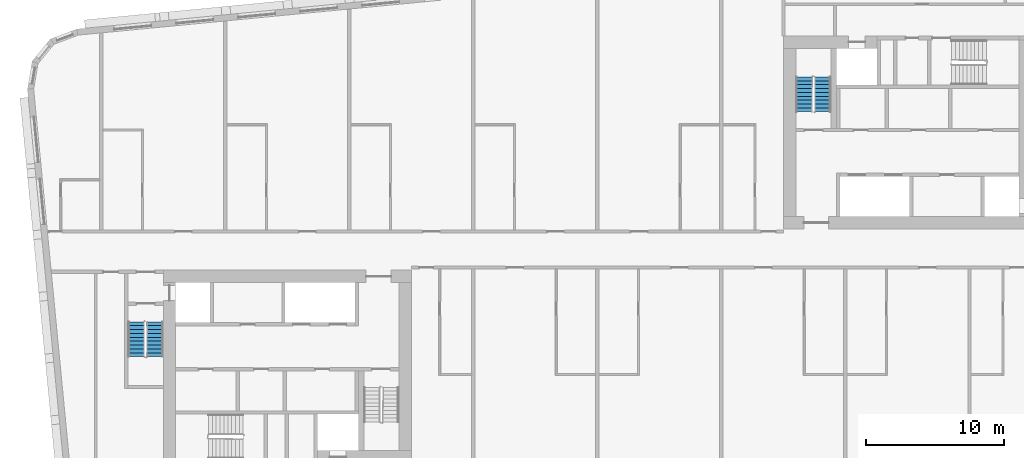
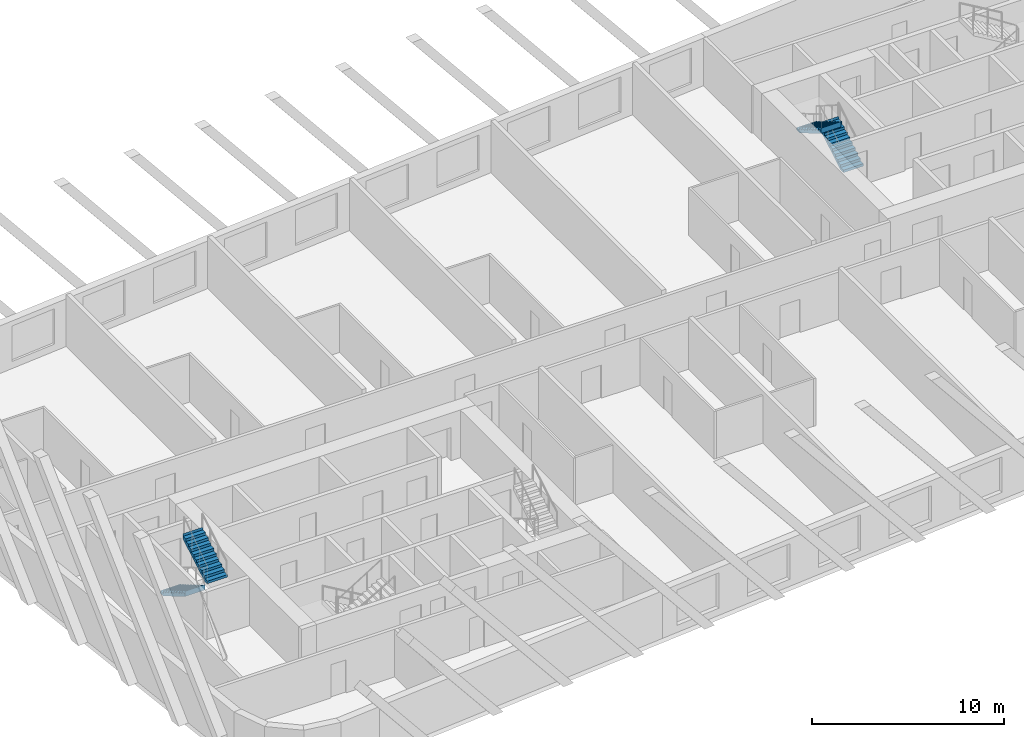
# One storey, part 9 of 12: 4 stair flights, 2 elements without a shape of their own.
"""IFC4 building model written with IfcOpenShell, lengths in metres."""

from ifc_helpers import new_model, si_unit, direction, frame, origin, place, context, subcontext, project, spatial, faceted_brep, material, type_object, element, aggregate, save


model = new_model("IFC4")

# Units and contexts
model_context = context("Model", 3, precision=1e-05, world=origin(), true_north=direction((0.0, 1.0)))
body_context = subcontext(model_context, "Body", "Model", "MODEL_VIEW")
ifc_project = project(units=[si_unit("LENGTHUNIT", "METRE"), si_unit("AREAUNIT", "SQUARE_METRE"), si_unit("VOLUMEUNIT", "CUBIC_METRE"), si_unit("PLANEANGLEUNIT", "RADIAN"), si_unit("MASSUNIT", "GRAM", prefix="KILO")], contexts=[model_context])

# Site, building, storey
site_placement = place(None, origin())
site = spatial("IfcSite", under=ifc_project, at=site_placement, CompositionType="ELEMENT")
building_placement = place(site_placement, origin())
building = spatial("IfcBuilding", under=site, at=building_placement, Name="Kajstack Hotel Tower", CompositionType="ELEMENT")
storey_placement = place(building_placement, frame((0.0, 0.0, 268.5)))
storey = spatial("IfcBuildingStorey", under=building, at=storey_placement, Name="L66", CompositionType="ELEMENT", Elevation=268.5)

# Stair, stair flights
ifc_material = material(Name="Concrete C40/50", Category="concrete")
stair_type = type_object("IfcStairType", Name="Exit stair 1200", PredefinedType="HALF_TURN_STAIR", material=ifc_material)
stair_1_placement = place(storey_placement, origin())
stair_1 = element("IfcStair", 1, at=stair_1_placement, inside=storey, type_object=stair_type, Name="L66 stair W1", PredefinedType="HALF_TURN_STAIR")
stair_flight_type = type_object("IfcStairFlightType", Name="Exit stair flight 1200", PredefinedType="STRAIGHT", material=ifc_material)
stair_flight_1_placement = place(storey_placement, frame((-33.449951171875, -5.25, 0.0), z_axis=(0.0, 0.0, 1.0), x_axis=(0.0, -1.0, 0.0)))
stair_flight_1 = element("IfcStairFlight", 2, at=stair_flight_1_placement, type_object=stair_flight_type, Name="W1 flight 1", NumberOfRisers=10, NumberOfTreads=9, PredefinedType="STRAIGHT", RiserHeight=0.165, TreadLength=0.28, context=body_context, shape_type="Brep", body=[
    faceted_brep([(0.295654296875, -0.60009765625, 0.0), (2.5205078125, -0.60009765625, 1.31103515625), (2.5205078125, -0.60009765625, 1.64990234375), (2.52001953125, -0.60009765625, 1.64990234375), (2.52001953125, -0.60009765625, 1.485107421875), (2.239990234375, -0.60009765625, 1.485107421875), (2.239990234375, -0.60009765625, 1.320068359375), (1.9599609375, -0.60009765625, 1.320068359375), (1.9599609375, -0.60009765625, 1.155029296875), (1.679931640625, -0.60009765625, 1.155029296875), (1.679931640625, -0.60009765625, 0.989990234375), (1.39990234375, -0.60009765625, 0.989990234375), (1.39990234375, -0.60009765625, 0.824951171875), (1.1201171875, -0.60009765625, 0.824951171875), (1.1201171875, -0.60009765625, 0.659912109375), (0.840087890625, -0.60009765625, 0.659912109375), (0.840087890625, -0.60009765625, 0.4951171875), (0.56005859375, -0.60009765625, 0.4951171875), (0.56005859375, -0.60009765625, 0.330078125), (0.280029296875, -0.60009765625, 0.330078125), (0.280029296875, -0.60009765625, 0.1650390625), (-0.00048828125, -0.60009765625, 0.1650390625), (-0.00048828125, -0.60009765625, 0.0), (-0.00048828125, 0.60009765625, 0.0), (-0.00048828125, 0.60009765625, 0.1650390625), (0.280029296875, 0.60009765625, 0.1650390625), (0.280029296875, 0.60009765625, 0.330078125), (0.56005859375, 0.60009765625, 0.330078125), (0.56005859375, 0.60009765625, 0.4951171875), (0.840087890625, 0.60009765625, 0.4951171875), (0.840087890625, 0.60009765625, 0.659912109375), (1.1201171875, 0.60009765625, 0.659912109375), (1.1201171875, 0.60009765625, 0.824951171875), (1.39990234375, 0.60009765625, 0.824951171875), (1.39990234375, 0.60009765625, 0.989990234375), (1.679931640625, 0.60009765625, 0.989990234375), (1.679931640625, 0.60009765625, 1.155029296875), (1.9599609375, 0.60009765625, 1.155029296875), (1.9599609375, 0.60009765625, 1.320068359375), (2.239990234375, 0.60009765625, 1.320068359375), (2.239990234375, 0.60009765625, 1.485107421875), (2.52001953125, 0.60009765625, 1.485107421875), (2.52001953125, 0.60009765625, 1.64990234375), (2.5205078125, 0.60009765625, 1.64990234375), (2.5205078125, 0.60009765625, 1.31103515625), (0.295654296875, 0.60009765625, 0.0), (-0.00048828125, -0.300048828125, 0.1650390625), (-0.00048828125, 0.0, 0.1650390625), (-0.00048828125, 0.300048828125, 0.1650390625), (-0.00048828125, 0.300048828125, 0.0), (-0.00048828125, 0.0, 0.0), (-0.00048828125, -0.300048828125, 0.0), (0.280029296875, -0.300048828125, 0.1650390625), (0.280029296875, 0.0, 0.1650390625), (0.280029296875, 0.300048828125, 0.1650390625), (0.280029296875, -0.300048828125, 0.330078125), (0.280029296875, 0.0, 0.330078125), (0.280029296875, 0.300048828125, 0.330078125), (0.56005859375, -0.300048828125, 0.330078125), (0.56005859375, 0.0, 0.330078125), (0.56005859375, 0.300048828125, 0.330078125), (0.56005859375, -0.300048828125, 0.4951171875), (0.56005859375, 0.0, 0.4951171875), (0.56005859375, 0.300048828125, 0.4951171875), (0.840087890625, -0.300048828125, 0.4951171875), (0.840087890625, 0.0, 0.4951171875), (0.840087890625, 0.300048828125, 0.4951171875), (0.840087890625, -0.300048828125, 0.659912109375), (0.840087890625, 0.0, 0.659912109375), (0.840087890625, 0.300048828125, 0.659912109375), (1.1201171875, -0.300048828125, 0.659912109375), (1.1201171875, 0.0, 0.659912109375), (1.1201171875, 0.300048828125, 0.659912109375), (1.1201171875, -0.300048828125, 0.824951171875), (1.1201171875, 0.0, 0.824951171875), (1.1201171875, 0.300048828125, 0.824951171875), (1.39990234375, -0.300048828125, 0.824951171875), (1.39990234375, 0.0, 0.824951171875), (1.39990234375, 0.300048828125, 0.824951171875), (1.39990234375, -0.300048828125, 0.989990234375), (1.39990234375, 0.0, 0.989990234375), (1.39990234375, 0.300048828125, 0.989990234375), (1.679931640625, -0.300048828125, 0.989990234375), (1.679931640625, 0.0, 0.989990234375), (1.679931640625, 0.300048828125, 0.989990234375), (1.679931640625, -0.300048828125, 1.155029296875), (1.679931640625, 0.0, 1.155029296875), (1.679931640625, 0.300048828125, 1.155029296875), (1.9599609375, -0.300048828125, 1.155029296875), (1.9599609375, 0.0, 1.155029296875), (1.9599609375, 0.300048828125, 1.155029296875), (1.9599609375, -0.300048828125, 1.320068359375), (1.9599609375, 0.0, 1.320068359375), (1.9599609375, 0.300048828125, 1.320068359375), (2.239990234375, -0.300048828125, 1.320068359375), (2.239990234375, 0.0, 1.320068359375), (2.239990234375, 0.300048828125, 1.320068359375), (2.239990234375, -0.300048828125, 1.485107421875), (2.239990234375, 0.0, 1.485107421875), (2.239990234375, 0.300048828125, 1.485107421875), (2.52001953125, -0.300048828125, 1.485107421875), (2.52001953125, 0.0, 1.485107421875), (2.52001953125, 0.300048828125, 1.485107421875), (2.52001953125, -0.300048828125, 1.64990234375), (2.52001953125, 0.0, 1.64990234375), (2.52001953125, 0.300048828125, 1.64990234375), (2.5205078125, -0.300048828125, 1.64990234375), (2.5205078125, 0.0, 1.64990234375), (2.5205078125, 0.300048828125, 1.64990234375), (2.5205078125, -0.300048828125, 1.31103515625), (2.5205078125, 0.0, 1.31103515625), (2.5205078125, 0.300048828125, 1.31103515625), (0.295654296875, -0.300048828125, 0.0), (0.295654296875, 0.0, 0.0), (0.295654296875, 0.300048828125, 0.0)], [[[0, 1, 2, 3, 4, 5, 6, 7, 8, 9, 10, 11, 12, 13, 14, 15, 16, 17, 18, 19, 20, 21, 22]], [[23, 24, 25, 26, 27, 28, 29, 30, 31, 32, 33, 34, 35, 36, 37, 38, 39, 40, 41, 42, 43, 44, 45]], [[21, 46, 47, 48, 24, 23, 49, 50, 51, 22]], [[20, 52, 53, 54, 25, 24, 48, 47, 46, 21]], [[19, 55, 56, 57, 26, 25, 54, 53, 52, 20]], [[18, 58, 59, 60, 27, 26, 57, 56, 55, 19]], [[17, 61, 62, 63, 28, 27, 60, 59, 58, 18]], [[16, 64, 65, 66, 29, 28, 63, 62, 61, 17]], [[15, 67, 68, 69, 30, 29, 66, 65, 64, 16]], [[14, 70, 71, 72, 31, 30, 69, 68, 67, 15]], [[13, 73, 74, 75, 32, 31, 72, 71, 70, 14]], [[12, 76, 77, 78, 33, 32, 75, 74, 73, 13]], [[11, 79, 80, 81, 34, 33, 78, 77, 76, 12]], [[10, 82, 83, 84, 35, 34, 81, 80, 79, 11]], [[9, 85, 86, 87, 36, 35, 84, 83, 82, 10]], [[8, 88, 89, 90, 37, 36, 87, 86, 85, 9]], [[7, 91, 92, 93, 38, 37, 90, 89, 88, 8]], [[6, 94, 95, 96, 39, 38, 93, 92, 91, 7]], [[5, 97, 98, 99, 40, 39, 96, 95, 94, 6]], [[4, 100, 101, 102, 41, 40, 99, 98, 97, 5]], [[3, 103, 104, 105, 42, 41, 102, 101, 100, 4]], [[2, 106, 107, 108, 43, 42, 105, 104, 103, 3]], [[1, 109, 110, 111, 44, 43, 108, 107, 106, 2]], [[0, 112, 113, 114, 45, 44, 111, 110, 109, 1]], [[22, 51, 50, 49, 23, 45, 114, 113, 112, 0]]]),
])
stair_flight_2_placement = place(storey_placement, frame((-32.10009765625, -7.77001953125, 1.64990234375), z_axis=(0.0, 0.0, 1.0), x_axis=(0.0, 1.0, 0.0)))
stair_flight_2 = element("IfcStairFlight", 3, at=stair_flight_2_placement, type_object=stair_flight_type, Name="W1 flight 2", NumberOfRisers=10, NumberOfTreads=9, PredefinedType="STRAIGHT", RiserHeight=0.165, TreadLength=0.28, context=body_context, shape_type="Brep", body=[
    faceted_brep([(0.295654296875, -0.60009765625, 0.0), (2.5205078125, -0.60009765625, 1.31103515625), (2.5205078125, -0.60009765625, 1.64990234375), (2.52001953125, -0.60009765625, 1.64990234375), (2.52001953125, -0.60009765625, 1.485107421875), (2.239990234375, -0.60009765625, 1.485107421875), (2.239990234375, -0.60009765625, 1.320068359375), (1.9599609375, -0.60009765625, 1.320068359375), (1.9599609375, -0.60009765625, 1.155029296875), (1.679931640625, -0.60009765625, 1.155029296875), (1.679931640625, -0.60009765625, 0.989990234375), (1.39990234375, -0.60009765625, 0.989990234375), (1.39990234375, -0.60009765625, 0.824951171875), (1.1201171875, -0.60009765625, 0.824951171875), (1.1201171875, -0.60009765625, 0.659912109375), (0.840087890625, -0.60009765625, 0.659912109375), (0.840087890625, -0.60009765625, 0.4951171875), (0.56005859375, -0.60009765625, 0.4951171875), (0.56005859375, -0.60009765625, 0.330078125), (0.280029296875, -0.60009765625, 0.330078125), (0.280029296875, -0.60009765625, 0.1650390625), (-0.00048828125, -0.60009765625, 0.1650390625), (-0.00048828125, -0.60009765625, 0.0), (-0.00048828125, 0.60009765625, 0.0), (-0.00048828125, 0.60009765625, 0.1650390625), (0.280029296875, 0.60009765625, 0.1650390625), (0.280029296875, 0.60009765625, 0.330078125), (0.56005859375, 0.60009765625, 0.330078125), (0.56005859375, 0.60009765625, 0.4951171875), (0.840087890625, 0.60009765625, 0.4951171875), (0.840087890625, 0.60009765625, 0.659912109375), (1.1201171875, 0.60009765625, 0.659912109375), (1.1201171875, 0.60009765625, 0.824951171875), (1.39990234375, 0.60009765625, 0.824951171875), (1.39990234375, 0.60009765625, 0.989990234375), (1.679931640625, 0.60009765625, 0.989990234375), (1.679931640625, 0.60009765625, 1.155029296875), (1.9599609375, 0.60009765625, 1.155029296875), (1.9599609375, 0.60009765625, 1.320068359375), (2.239990234375, 0.60009765625, 1.320068359375), (2.239990234375, 0.60009765625, 1.485107421875), (2.52001953125, 0.60009765625, 1.485107421875), (2.52001953125, 0.60009765625, 1.64990234375), (2.5205078125, 0.60009765625, 1.64990234375), (2.5205078125, 0.60009765625, 1.31103515625), (0.295654296875, 0.60009765625, 0.0), (-0.00048828125, -0.300048828125, 0.1650390625), (-0.00048828125, 0.0, 0.1650390625), (-0.00048828125, 0.300048828125, 0.1650390625), (-0.00048828125, 0.300048828125, 0.0), (-0.00048828125, 0.0, 0.0), (-0.00048828125, -0.300048828125, 0.0), (0.280029296875, -0.300048828125, 0.1650390625), (0.280029296875, 0.0, 0.1650390625), (0.280029296875, 0.300048828125, 0.1650390625), (0.280029296875, -0.300048828125, 0.330078125), (0.280029296875, 0.0, 0.330078125), (0.280029296875, 0.300048828125, 0.330078125), (0.56005859375, -0.300048828125, 0.330078125), (0.56005859375, 0.0, 0.330078125), (0.56005859375, 0.300048828125, 0.330078125), (0.56005859375, -0.300048828125, 0.4951171875), (0.56005859375, 0.0, 0.4951171875), (0.56005859375, 0.300048828125, 0.4951171875), (0.840087890625, -0.300048828125, 0.4951171875), (0.840087890625, 0.0, 0.4951171875), (0.840087890625, 0.300048828125, 0.4951171875), (0.840087890625, -0.300048828125, 0.659912109375), (0.840087890625, 0.0, 0.659912109375), (0.840087890625, 0.300048828125, 0.659912109375), (1.1201171875, -0.300048828125, 0.659912109375), (1.1201171875, 0.0, 0.659912109375), (1.1201171875, 0.300048828125, 0.659912109375), (1.1201171875, -0.300048828125, 0.824951171875), (1.1201171875, 0.0, 0.824951171875), (1.1201171875, 0.300048828125, 0.824951171875), (1.39990234375, -0.300048828125, 0.824951171875), (1.39990234375, 0.0, 0.824951171875), (1.39990234375, 0.300048828125, 0.824951171875), (1.39990234375, -0.300048828125, 0.989990234375), (1.39990234375, 0.0, 0.989990234375), (1.39990234375, 0.300048828125, 0.989990234375), (1.679931640625, -0.300048828125, 0.989990234375), (1.679931640625, 0.0, 0.989990234375), (1.679931640625, 0.300048828125, 0.989990234375), (1.679931640625, -0.300048828125, 1.155029296875), (1.679931640625, 0.0, 1.155029296875), (1.679931640625, 0.300048828125, 1.155029296875), (1.9599609375, -0.300048828125, 1.155029296875), (1.9599609375, 0.0, 1.155029296875), (1.9599609375, 0.300048828125, 1.155029296875), (1.9599609375, -0.300048828125, 1.320068359375), (1.9599609375, 0.0, 1.320068359375), (1.9599609375, 0.300048828125, 1.320068359375), (2.239990234375, -0.300048828125, 1.320068359375), (2.239990234375, 0.0, 1.320068359375), (2.239990234375, 0.300048828125, 1.320068359375), (2.239990234375, -0.300048828125, 1.485107421875), (2.239990234375, 0.0, 1.485107421875), (2.239990234375, 0.300048828125, 1.485107421875), (2.52001953125, -0.300048828125, 1.485107421875), (2.52001953125, 0.0, 1.485107421875), (2.52001953125, 0.300048828125, 1.485107421875), (2.52001953125, -0.300048828125, 1.64990234375), (2.52001953125, 0.0, 1.64990234375), (2.52001953125, 0.300048828125, 1.64990234375), (2.5205078125, -0.300048828125, 1.64990234375), (2.5205078125, 0.0, 1.64990234375), (2.5205078125, 0.300048828125, 1.64990234375), (2.5205078125, -0.300048828125, 1.31103515625), (2.5205078125, 0.0, 1.31103515625), (2.5205078125, 0.300048828125, 1.31103515625), (0.295654296875, -0.300048828125, 0.0), (0.295654296875, 0.0, 0.0), (0.295654296875, 0.300048828125, 0.0)], [[[0, 1, 2, 3, 4, 5, 6, 7, 8, 9, 10, 11, 12, 13, 14, 15, 16, 17, 18, 19, 20, 21, 22]], [[23, 24, 25, 26, 27, 28, 29, 30, 31, 32, 33, 34, 35, 36, 37, 38, 39, 40, 41, 42, 43, 44, 45]], [[21, 46, 47, 48, 24, 23, 49, 50, 51, 22]], [[20, 52, 53, 54, 25, 24, 48, 47, 46, 21]], [[19, 55, 56, 57, 26, 25, 54, 53, 52, 20]], [[18, 58, 59, 60, 27, 26, 57, 56, 55, 19]], [[17, 61, 62, 63, 28, 27, 60, 59, 58, 18]], [[16, 64, 65, 66, 29, 28, 63, 62, 61, 17]], [[15, 67, 68, 69, 30, 29, 66, 65, 64, 16]], [[14, 70, 71, 72, 31, 30, 69, 68, 67, 15]], [[13, 73, 74, 75, 32, 31, 72, 71, 70, 14]], [[12, 76, 77, 78, 33, 32, 75, 74, 73, 13]], [[11, 79, 80, 81, 34, 33, 78, 77, 76, 12]], [[10, 82, 83, 84, 35, 34, 81, 80, 79, 11]], [[9, 85, 86, 87, 36, 35, 84, 83, 82, 10]], [[8, 88, 89, 90, 37, 36, 87, 86, 85, 9]], [[7, 91, 92, 93, 38, 37, 90, 89, 88, 8]], [[6, 94, 95, 96, 39, 38, 93, 92, 91, 7]], [[5, 97, 98, 99, 40, 39, 96, 95, 94, 6]], [[4, 100, 101, 102, 41, 40, 99, 98, 97, 5]], [[3, 103, 104, 105, 42, 41, 102, 101, 100, 4]], [[2, 106, 107, 108, 43, 42, 105, 104, 103, 3]], [[1, 109, 110, 111, 44, 43, 108, 107, 106, 2]], [[0, 112, 113, 114, 45, 44, 111, 110, 109, 1]], [[22, 51, 50, 49, 23, 45, 114, 113, 112, 0]]]),
])
aggregate(stair_1, [stair_flight_1, stair_flight_2])

stair_2_placement = place(storey_placement, origin())
stair_2 = element("IfcStair", 4, at=stair_2_placement, inside=storey, type_object=stair_type, Name="L66 stair E2", PredefinedType="HALF_TURN_STAIR")
stair_flight_3_placement = place(storey_placement, frame((16.35009765625, 10.0, 0.0), z_axis=(0.0, 0.0, 1.0), x_axis=(0.0, 1.0, 0.0)))
stair_flight_3 = element("IfcStairFlight", 5, at=stair_flight_3_placement, type_object=stair_flight_type, Name="E2 flight 1", NumberOfRisers=10, NumberOfTreads=9, PredefinedType="STRAIGHT", RiserHeight=0.165, TreadLength=0.28, context=body_context, shape_type="Brep", body=[
    faceted_brep([(0.295654296875, -0.60009765625, 0.0), (2.5205078125, -0.60009765625, 1.31103515625), (2.5205078125, -0.60009765625, 1.64990234375), (2.52001953125, -0.60009765625, 1.64990234375), (2.52001953125, -0.60009765625, 1.485107421875), (2.239990234375, -0.60009765625, 1.485107421875), (2.239990234375, -0.60009765625, 1.320068359375), (1.9599609375, -0.60009765625, 1.320068359375), (1.9599609375, -0.60009765625, 1.155029296875), (1.679931640625, -0.60009765625, 1.155029296875), (1.679931640625, -0.60009765625, 0.989990234375), (1.39990234375, -0.60009765625, 0.989990234375), (1.39990234375, -0.60009765625, 0.824951171875), (1.1201171875, -0.60009765625, 0.824951171875), (1.1201171875, -0.60009765625, 0.659912109375), (0.840087890625, -0.60009765625, 0.659912109375), (0.840087890625, -0.60009765625, 0.4951171875), (0.56005859375, -0.60009765625, 0.4951171875), (0.56005859375, -0.60009765625, 0.330078125), (0.280029296875, -0.60009765625, 0.330078125), (0.280029296875, -0.60009765625, 0.1650390625), (-0.00048828125, -0.60009765625, 0.1650390625), (-0.00048828125, -0.60009765625, 0.0), (-0.00048828125, 0.60009765625, 0.0), (-0.00048828125, 0.60009765625, 0.1650390625), (0.280029296875, 0.60009765625, 0.1650390625), (0.280029296875, 0.60009765625, 0.330078125), (0.56005859375, 0.60009765625, 0.330078125), (0.56005859375, 0.60009765625, 0.4951171875), (0.840087890625, 0.60009765625, 0.4951171875), (0.840087890625, 0.60009765625, 0.659912109375), (1.1201171875, 0.60009765625, 0.659912109375), (1.1201171875, 0.60009765625, 0.824951171875), (1.39990234375, 0.60009765625, 0.824951171875), (1.39990234375, 0.60009765625, 0.989990234375), (1.679931640625, 0.60009765625, 0.989990234375), (1.679931640625, 0.60009765625, 1.155029296875), (1.9599609375, 0.60009765625, 1.155029296875), (1.9599609375, 0.60009765625, 1.320068359375), (2.239990234375, 0.60009765625, 1.320068359375), (2.239990234375, 0.60009765625, 1.485107421875), (2.52001953125, 0.60009765625, 1.485107421875), (2.52001953125, 0.60009765625, 1.64990234375), (2.5205078125, 0.60009765625, 1.64990234375), (2.5205078125, 0.60009765625, 1.31103515625), (0.295654296875, 0.60009765625, 0.0), (-0.00048828125, -0.300048828125, 0.1650390625), (-0.00048828125, 0.0, 0.1650390625), (-0.00048828125, 0.300048828125, 0.1650390625), (-0.00048828125, 0.300048828125, 0.0), (-0.00048828125, 0.0, 0.0), (-0.00048828125, -0.300048828125, 0.0), (0.280029296875, -0.300048828125, 0.1650390625), (0.280029296875, 0.0, 0.1650390625), (0.280029296875, 0.300048828125, 0.1650390625), (0.280029296875, -0.300048828125, 0.330078125), (0.280029296875, 0.0, 0.330078125), (0.280029296875, 0.300048828125, 0.330078125), (0.56005859375, -0.300048828125, 0.330078125), (0.56005859375, 0.0, 0.330078125), (0.56005859375, 0.300048828125, 0.330078125), (0.56005859375, -0.300048828125, 0.4951171875), (0.56005859375, 0.0, 0.4951171875), (0.56005859375, 0.300048828125, 0.4951171875), (0.840087890625, -0.300048828125, 0.4951171875), (0.840087890625, 0.0, 0.4951171875), (0.840087890625, 0.300048828125, 0.4951171875), (0.840087890625, -0.300048828125, 0.659912109375), (0.840087890625, 0.0, 0.659912109375), (0.840087890625, 0.300048828125, 0.659912109375), (1.1201171875, -0.300048828125, 0.659912109375), (1.1201171875, 0.0, 0.659912109375), (1.1201171875, 0.300048828125, 0.659912109375), (1.1201171875, -0.300048828125, 0.824951171875), (1.1201171875, 0.0, 0.824951171875), (1.1201171875, 0.300048828125, 0.824951171875), (1.39990234375, -0.300048828125, 0.824951171875), (1.39990234375, 0.0, 0.824951171875), (1.39990234375, 0.300048828125, 0.824951171875), (1.39990234375, -0.300048828125, 0.989990234375), (1.39990234375, 0.0, 0.989990234375), (1.39990234375, 0.300048828125, 0.989990234375), (1.679931640625, -0.300048828125, 0.989990234375), (1.679931640625, 0.0, 0.989990234375), (1.679931640625, 0.300048828125, 0.989990234375), (1.679931640625, -0.300048828125, 1.155029296875), (1.679931640625, 0.0, 1.155029296875), (1.679931640625, 0.300048828125, 1.155029296875), (1.9599609375, -0.300048828125, 1.155029296875), (1.9599609375, 0.0, 1.155029296875), (1.9599609375, 0.300048828125, 1.155029296875), (1.9599609375, -0.300048828125, 1.320068359375), (1.9599609375, 0.0, 1.320068359375), (1.9599609375, 0.300048828125, 1.320068359375), (2.239990234375, -0.300048828125, 1.320068359375), (2.239990234375, 0.0, 1.320068359375), (2.239990234375, 0.300048828125, 1.320068359375), (2.239990234375, -0.300048828125, 1.485107421875), (2.239990234375, 0.0, 1.485107421875), (2.239990234375, 0.300048828125, 1.485107421875), (2.52001953125, -0.300048828125, 1.485107421875), (2.52001953125, 0.0, 1.485107421875), (2.52001953125, 0.300048828125, 1.485107421875), (2.52001953125, -0.300048828125, 1.64990234375), (2.52001953125, 0.0, 1.64990234375), (2.52001953125, 0.300048828125, 1.64990234375), (2.5205078125, -0.300048828125, 1.64990234375), (2.5205078125, 0.0, 1.64990234375), (2.5205078125, 0.300048828125, 1.64990234375), (2.5205078125, -0.300048828125, 1.31103515625), (2.5205078125, 0.0, 1.31103515625), (2.5205078125, 0.300048828125, 1.31103515625), (0.295654296875, -0.300048828125, 0.0), (0.295654296875, 0.0, 0.0), (0.295654296875, 0.300048828125, 0.0)], [[[0, 1, 2, 3, 4, 5, 6, 7, 8, 9, 10, 11, 12, 13, 14, 15, 16, 17, 18, 19, 20, 21, 22]], [[23, 24, 25, 26, 27, 28, 29, 30, 31, 32, 33, 34, 35, 36, 37, 38, 39, 40, 41, 42, 43, 44, 45]], [[21, 46, 47, 48, 24, 23, 49, 50, 51, 22]], [[20, 52, 53, 54, 25, 24, 48, 47, 46, 21]], [[19, 55, 56, 57, 26, 25, 54, 53, 52, 20]], [[18, 58, 59, 60, 27, 26, 57, 56, 55, 19]], [[17, 61, 62, 63, 28, 27, 60, 59, 58, 18]], [[16, 64, 65, 66, 29, 28, 63, 62, 61, 17]], [[15, 67, 68, 69, 30, 29, 66, 65, 64, 16]], [[14, 70, 71, 72, 31, 30, 69, 68, 67, 15]], [[13, 73, 74, 75, 32, 31, 72, 71, 70, 14]], [[12, 76, 77, 78, 33, 32, 75, 74, 73, 13]], [[11, 79, 80, 81, 34, 33, 78, 77, 76, 12]], [[10, 82, 83, 84, 35, 34, 81, 80, 79, 11]], [[9, 85, 86, 87, 36, 35, 84, 83, 82, 10]], [[8, 88, 89, 90, 37, 36, 87, 86, 85, 9]], [[7, 91, 92, 93, 38, 37, 90, 89, 88, 8]], [[6, 94, 95, 96, 39, 38, 93, 92, 91, 7]], [[5, 97, 98, 99, 40, 39, 96, 95, 94, 6]], [[4, 100, 101, 102, 41, 40, 99, 98, 97, 5]], [[3, 103, 104, 105, 42, 41, 102, 101, 100, 4]], [[2, 106, 107, 108, 43, 42, 105, 104, 103, 3]], [[1, 109, 110, 111, 44, 43, 108, 107, 106, 2]], [[0, 112, 113, 114, 45, 44, 111, 110, 109, 1]], [[22, 51, 50, 49, 23, 45, 114, 113, 112, 0]]]),
])
stair_flight_4_placement = place(storey_placement, frame((15.0, 12.52001953125, 1.64990234375), z_axis=(0.0, 0.0, 1.0), x_axis=(0.0, -1.0, 0.0)))
stair_flight_4 = element("IfcStairFlight", 6, at=stair_flight_4_placement, type_object=stair_flight_type, Name="E2 flight 2", NumberOfRisers=10, NumberOfTreads=9, PredefinedType="STRAIGHT", RiserHeight=0.165, TreadLength=0.28, context=body_context, shape_type="Brep", body=[
    faceted_brep([(0.295654296875, -0.60009765625, 0.0), (2.5205078125, -0.60009765625, 1.31103515625), (2.5205078125, -0.60009765625, 1.64990234375), (2.52001953125, -0.60009765625, 1.64990234375), (2.52001953125, -0.60009765625, 1.485107421875), (2.239990234375, -0.60009765625, 1.485107421875), (2.239990234375, -0.60009765625, 1.320068359375), (1.9599609375, -0.60009765625, 1.320068359375), (1.9599609375, -0.60009765625, 1.155029296875), (1.679931640625, -0.60009765625, 1.155029296875), (1.679931640625, -0.60009765625, 0.989990234375), (1.39990234375, -0.60009765625, 0.989990234375), (1.39990234375, -0.60009765625, 0.824951171875), (1.1201171875, -0.60009765625, 0.824951171875), (1.1201171875, -0.60009765625, 0.659912109375), (0.840087890625, -0.60009765625, 0.659912109375), (0.840087890625, -0.60009765625, 0.4951171875), (0.56005859375, -0.60009765625, 0.4951171875), (0.56005859375, -0.60009765625, 0.330078125), (0.280029296875, -0.60009765625, 0.330078125), (0.280029296875, -0.60009765625, 0.1650390625), (-0.00048828125, -0.60009765625, 0.1650390625), (-0.00048828125, -0.60009765625, 0.0), (-0.00048828125, 0.60009765625, 0.0), (-0.00048828125, 0.60009765625, 0.1650390625), (0.280029296875, 0.60009765625, 0.1650390625), (0.280029296875, 0.60009765625, 0.330078125), (0.56005859375, 0.60009765625, 0.330078125), (0.56005859375, 0.60009765625, 0.4951171875), (0.840087890625, 0.60009765625, 0.4951171875), (0.840087890625, 0.60009765625, 0.659912109375), (1.1201171875, 0.60009765625, 0.659912109375), (1.1201171875, 0.60009765625, 0.824951171875), (1.39990234375, 0.60009765625, 0.824951171875), (1.39990234375, 0.60009765625, 0.989990234375), (1.679931640625, 0.60009765625, 0.989990234375), (1.679931640625, 0.60009765625, 1.155029296875), (1.9599609375, 0.60009765625, 1.155029296875), (1.9599609375, 0.60009765625, 1.320068359375), (2.239990234375, 0.60009765625, 1.320068359375), (2.239990234375, 0.60009765625, 1.485107421875), (2.52001953125, 0.60009765625, 1.485107421875), (2.52001953125, 0.60009765625, 1.64990234375), (2.5205078125, 0.60009765625, 1.64990234375), (2.5205078125, 0.60009765625, 1.31103515625), (0.295654296875, 0.60009765625, 0.0), (-0.00048828125, -0.300048828125, 0.1650390625), (-0.00048828125, 0.0, 0.1650390625), (-0.00048828125, 0.300048828125, 0.1650390625), (-0.00048828125, 0.300048828125, 0.0), (-0.00048828125, 0.0, 0.0), (-0.00048828125, -0.300048828125, 0.0), (0.280029296875, -0.300048828125, 0.1650390625), (0.280029296875, 0.0, 0.1650390625), (0.280029296875, 0.300048828125, 0.1650390625), (0.280029296875, -0.300048828125, 0.330078125), (0.280029296875, 0.0, 0.330078125), (0.280029296875, 0.300048828125, 0.330078125), (0.56005859375, -0.300048828125, 0.330078125), (0.56005859375, 0.0, 0.330078125), (0.56005859375, 0.300048828125, 0.330078125), (0.56005859375, -0.300048828125, 0.4951171875), (0.56005859375, 0.0, 0.4951171875), (0.56005859375, 0.300048828125, 0.4951171875), (0.840087890625, -0.300048828125, 0.4951171875), (0.840087890625, 0.0, 0.4951171875), (0.840087890625, 0.300048828125, 0.4951171875), (0.840087890625, -0.300048828125, 0.659912109375), (0.840087890625, 0.0, 0.659912109375), (0.840087890625, 0.300048828125, 0.659912109375), (1.1201171875, -0.300048828125, 0.659912109375), (1.1201171875, 0.0, 0.659912109375), (1.1201171875, 0.300048828125, 0.659912109375), (1.1201171875, -0.300048828125, 0.824951171875), (1.1201171875, 0.0, 0.824951171875), (1.1201171875, 0.300048828125, 0.824951171875), (1.39990234375, -0.300048828125, 0.824951171875), (1.39990234375, 0.0, 0.824951171875), (1.39990234375, 0.300048828125, 0.824951171875), (1.39990234375, -0.300048828125, 0.989990234375), (1.39990234375, 0.0, 0.989990234375), (1.39990234375, 0.300048828125, 0.989990234375), (1.679931640625, -0.300048828125, 0.989990234375), (1.679931640625, 0.0, 0.989990234375), (1.679931640625, 0.300048828125, 0.989990234375), (1.679931640625, -0.300048828125, 1.155029296875), (1.679931640625, 0.0, 1.155029296875), (1.679931640625, 0.300048828125, 1.155029296875), (1.9599609375, -0.300048828125, 1.155029296875), (1.9599609375, 0.0, 1.155029296875), (1.9599609375, 0.300048828125, 1.155029296875), (1.9599609375, -0.300048828125, 1.320068359375), (1.9599609375, 0.0, 1.320068359375), (1.9599609375, 0.300048828125, 1.320068359375), (2.239990234375, -0.300048828125, 1.320068359375), (2.239990234375, 0.0, 1.320068359375), (2.239990234375, 0.300048828125, 1.320068359375), (2.239990234375, -0.300048828125, 1.485107421875), (2.239990234375, 0.0, 1.485107421875), (2.239990234375, 0.300048828125, 1.485107421875), (2.52001953125, -0.300048828125, 1.485107421875), (2.52001953125, 0.0, 1.485107421875), (2.52001953125, 0.300048828125, 1.485107421875), (2.52001953125, -0.300048828125, 1.64990234375), (2.52001953125, 0.0, 1.64990234375), (2.52001953125, 0.300048828125, 1.64990234375), (2.5205078125, -0.300048828125, 1.64990234375), (2.5205078125, 0.0, 1.64990234375), (2.5205078125, 0.300048828125, 1.64990234375), (2.5205078125, -0.300048828125, 1.31103515625), (2.5205078125, 0.0, 1.31103515625), (2.5205078125, 0.300048828125, 1.31103515625), (0.295654296875, -0.300048828125, 0.0), (0.295654296875, 0.0, 0.0), (0.295654296875, 0.300048828125, 0.0)], [[[0, 1, 2, 3, 4, 5, 6, 7, 8, 9, 10, 11, 12, 13, 14, 15, 16, 17, 18, 19, 20, 21, 22]], [[23, 24, 25, 26, 27, 28, 29, 30, 31, 32, 33, 34, 35, 36, 37, 38, 39, 40, 41, 42, 43, 44, 45]], [[21, 46, 47, 48, 24, 23, 49, 50, 51, 22]], [[20, 52, 53, 54, 25, 24, 48, 47, 46, 21]], [[19, 55, 56, 57, 26, 25, 54, 53, 52, 20]], [[18, 58, 59, 60, 27, 26, 57, 56, 55, 19]], [[17, 61, 62, 63, 28, 27, 60, 59, 58, 18]], [[16, 64, 65, 66, 29, 28, 63, 62, 61, 17]], [[15, 67, 68, 69, 30, 29, 66, 65, 64, 16]], [[14, 70, 71, 72, 31, 30, 69, 68, 67, 15]], [[13, 73, 74, 75, 32, 31, 72, 71, 70, 14]], [[12, 76, 77, 78, 33, 32, 75, 74, 73, 13]], [[11, 79, 80, 81, 34, 33, 78, 77, 76, 12]], [[10, 82, 83, 84, 35, 34, 81, 80, 79, 11]], [[9, 85, 86, 87, 36, 35, 84, 83, 82, 10]], [[8, 88, 89, 90, 37, 36, 87, 86, 85, 9]], [[7, 91, 92, 93, 38, 37, 90, 89, 88, 8]], [[6, 94, 95, 96, 39, 38, 93, 92, 91, 7]], [[5, 97, 98, 99, 40, 39, 96, 95, 94, 6]], [[4, 100, 101, 102, 41, 40, 99, 98, 97, 5]], [[3, 103, 104, 105, 42, 41, 102, 101, 100, 4]], [[2, 106, 107, 108, 43, 42, 105, 104, 103, 3]], [[1, 109, 110, 111, 44, 43, 108, 107, 106, 2]], [[0, 112, 113, 114, 45, 44, 111, 110, 109, 1]], [[22, 51, 50, 49, 23, 45, 114, 113, 112, 0]]]),
])
aggregate(stair_2, [stair_flight_3, stair_flight_4])

save(model, "model.ifc")
